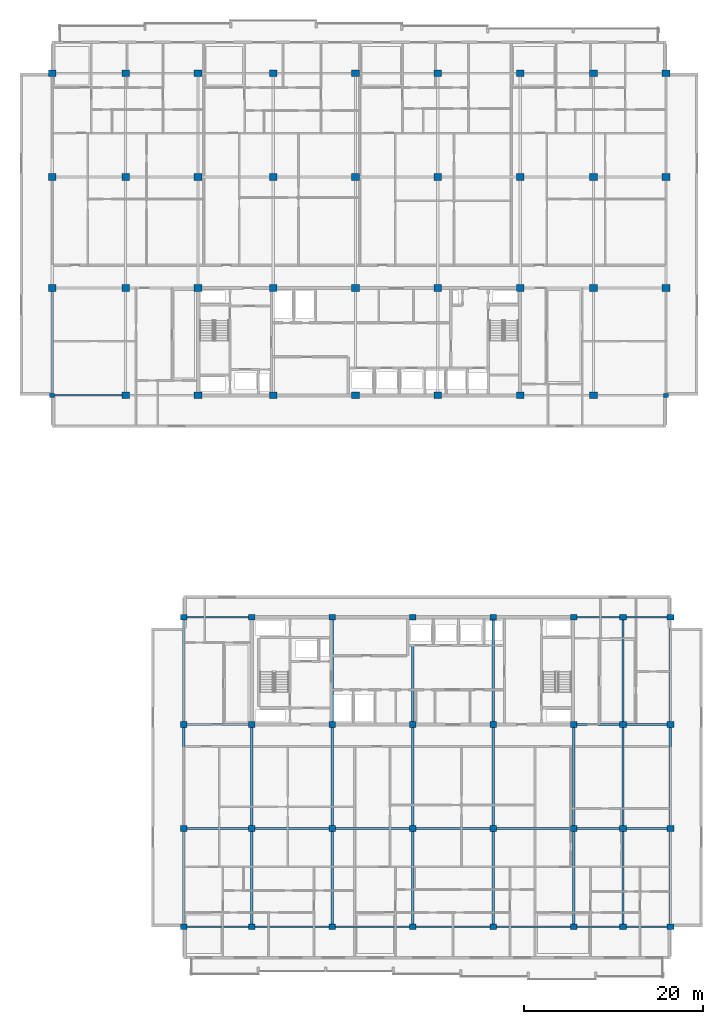
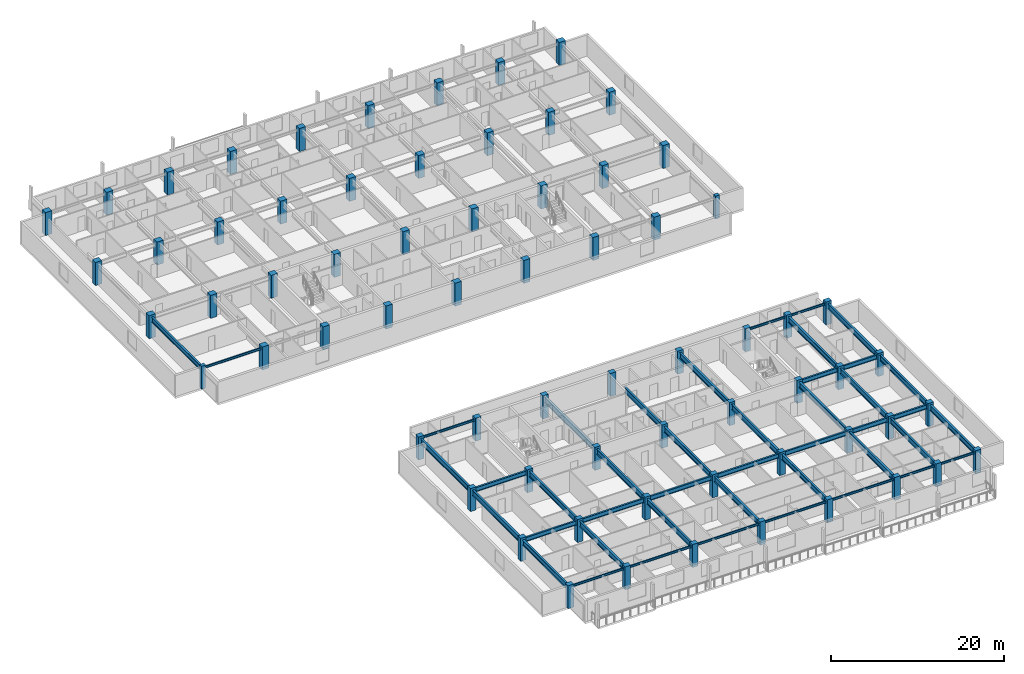
# One storey, part 1 of 24: 68 columns, 44 beams.
"""IFC4 building model written with IfcOpenShell, lengths in metres."""

from ifc_helpers import new_model, si_unit, direction, frame, origin, origin_2d, place, context, subcontext, project, spatial, rectangle, i_section, extrude, material, material_profile, profile_set, type_object, element, save


model = new_model("IFC4")

# Units and contexts
model_context = context("Model", 3, precision=1e-05, world=origin(), true_north=direction((0.0, 1.0)))
body_context = subcontext(model_context, "Body", "Model", "MODEL_VIEW")
ifc_project = project(units=[si_unit("LENGTHUNIT", "METRE"), si_unit("AREAUNIT", "SQUARE_METRE"), si_unit("VOLUMEUNIT", "CUBIC_METRE"), si_unit("PLANEANGLEUNIT", "RADIAN"), si_unit("MASSUNIT", "GRAM", prefix="KILO")], contexts=[model_context])

# Site, building, storey
site_placement = place(None, origin())
site = spatial("IfcSite", under=ifc_project, at=site_placement, CompositionType="ELEMENT")
building_placement = place(site_placement, origin())
building = spatial("IfcBuilding", under=site, at=building_placement, Name="Korimba Cascade Residences", CompositionType="ELEMENT")
storey_placement = place(building_placement, frame((0.0, 0.0, 168.60009765625)))
storey = spatial("IfcBuildingStorey", under=building, at=storey_placement, Name="L48", CompositionType="ELEMENT", Elevation=168.60009765625)

# Columns
ifc_material_1 = material(Name="Concrete C65/80", Category="concrete")
ifc_material_profile_1 = material_profile(ifc_material_1, rectangle(XDim=0.550048828125, YDim=0.449951171875, at=origin_2d()), Name="Concrete C65/80")
ifc_profile_set_1 = profile_set([ifc_material_profile_1], Name="Concrete C65/80")
column_type_1 = type_object("IfcColumnType", Name="COL-PIL-550", PredefinedType="PILASTER", material=ifc_profile_set_1)
for number, where, z_axis, x_axis, name in (
    (1, (59.800048828125, 55.199951171875, 0.0), (0.0, 0.0, 1.0), (1.0, 0.0, 0.0), "L48 Tower 1 Column 1.1"),
    (2, (128.39990234375, 55.199951171875, 0.0), (0.0, 0.0, 1.0), (1.0, 0.0, 0.0), "L48 Tower 1 Column 9.1"),
):
    element("IfcColumn", number, at=place(storey_placement, frame(where, z_axis=z_axis, x_axis=x_axis)), inside=storey, type_object=column_type_1, Name=name, PredefinedType="PILASTER", context=body_context, shape_type="SweptSolid", body=[
        extrude(rectangle(XDim=0.550048828125, YDim=0.449951171875, at=origin_2d()), origin(), (0.0, 0.0, 1.0), 3.25),
    ])
ifc_material_2 = material(Name="Concrete C50/60", Category="concrete")
ifc_material_profile_2 = material_profile(ifc_material_2, rectangle(XDim=0.75, YDim=0.64990234375, at=origin_2d()), Name="Concrete C50/60")
ifc_profile_set_2 = profile_set([ifc_material_profile_2], Name="Concrete C50/60")
column_type_2 = type_object("IfcColumnType", Name="COL-RC-750", PredefinedType="COLUMN", material=ifc_profile_set_2)
for number, where, z_axis, x_axis, name in (
    (3, (74.5, -4.199951171875, 0.0), (0.0, 0.0, 1.0), (1.0, 0.0, 0.0), "L48 Tower 2 Column 1.1"),
    (4, (74.5, 6.800048828125, 0.0), (0.0, 0.0, 1.0), (1.0, 0.0, 0.0), "L48 Tower 2 Column 1.2"),
    (5, (74.5, 18.39990234375, 0.0), (0.0, 0.0, 1.0), (1.0, 0.0, 0.0), "L48 Tower 2 Column 1.3"),
    (6, (74.5, 30.39990234375, 0.0), (0.0, 0.0, 1.0), (1.0, 0.0, 0.0), "L48 Tower 2 Column 1.4"),
    (7, (82.10009765625, -4.199951171875, 0.0), (0.0, 0.0, 1.0), (1.0, 0.0, 0.0), "L48 Tower 2 Column 2.1"),
    (8, (82.10009765625, 6.800048828125, 0.0), (0.0, 0.0, 1.0), (1.0, 0.0, 0.0), "L48 Tower 2 Column 2.2"),
    (9, (82.10009765625, 18.39990234375, 0.0), (0.0, 0.0, 1.0), (1.0, 0.0, 0.0), "L48 Tower 2 Column 2.3"),
    (10, (82.10009765625, 30.39990234375, 0.0), (0.0, 0.0, 1.0), (1.0, 0.0, 0.0), "L48 Tower 2 Column 2.4"),
    (11, (91.10009765625, -4.199951171875, 0.0), (0.0, 0.0, 1.0), (1.0, 0.0, 0.0), "L48 Tower 2 Column 3.1"),
    (12, (91.10009765625, 6.800048828125, 0.0), (0.0, 0.0, 1.0), (1.0, 0.0, 0.0), "L48 Tower 2 Column 3.2"),
    (13, (91.10009765625, 18.39990234375, 0.0), (0.0, 0.0, 1.0), (1.0, 0.0, 0.0), "L48 Tower 2 Column 3.3"),
    (14, (91.10009765625, 30.39990234375, 0.0), (0.0, 0.0, 1.0), (1.0, 0.0, 0.0), "L48 Tower 2 Column 3.4"),
    (15, (100.10009765625, -4.199951171875, 0.0), (0.0, 0.0, 1.0), (1.0, 0.0, 0.0), "L48 Tower 2 Column 4.1"),
    (16, (100.10009765625, 6.800048828125, 0.0), (0.0, 0.0, 1.0), (1.0, 0.0, 0.0), "L48 Tower 2 Column 4.2"),
    (17, (100.10009765625, 18.39990234375, 0.0), (0.0, 0.0, 1.0), (1.0, 0.0, 0.0), "L48 Tower 2 Column 4.3"),
    (18, (100.10009765625, 30.39990234375, 0.0), (0.0, 0.0, 1.0), (1.0, 0.0, 0.0), "L48 Tower 2 Column 4.4"),
    (19, (109.10009765625, -4.199951171875, 0.0), (0.0, 0.0, 1.0), (1.0, 0.0, 0.0), "L48 Tower 2 Column 5.1"),
    (20, (109.10009765625, 6.800048828125, 0.0), (0.0, 0.0, 1.0), (1.0, 0.0, 0.0), "L48 Tower 2 Column 5.2"),
    (21, (109.10009765625, 18.39990234375, 0.0), (0.0, 0.0, 1.0), (1.0, 0.0, 0.0), "L48 Tower 2 Column 5.3"),
    (22, (109.10009765625, 30.39990234375, 0.0), (0.0, 0.0, 1.0), (1.0, 0.0, 0.0), "L48 Tower 2 Column 5.4"),
    (23, (118.10009765625, -4.199951171875, 0.0), (0.0, 0.0, 1.0), (1.0, 0.0, 0.0), "L48 Tower 2 Column 6.1"),
    (24, (118.10009765625, 6.800048828125, 0.0), (0.0, 0.0, 1.0), (1.0, 0.0, 0.0), "L48 Tower 2 Column 6.2"),
    (25, (118.10009765625, 18.39990234375, 0.0), (0.0, 0.0, 1.0), (1.0, 0.0, 0.0), "L48 Tower 2 Column 6.3"),
    (26, (118.10009765625, 30.39990234375, 0.0), (0.0, 0.0, 1.0), (1.0, 0.0, 0.0), "L48 Tower 2 Column 6.4"),
    (27, (123.60009765625, -4.199951171875, 0.0), (0.0, 0.0, 1.0), (1.0, 0.0, 0.0), "L48 Tower 2 Column 7.1"),
    (28, (123.60009765625, 6.800048828125, 0.0), (0.0, 0.0, 1.0), (1.0, 0.0, 0.0), "L48 Tower 2 Column 7.2"),
    (29, (123.60009765625, 18.39990234375, 0.0), (0.0, 0.0, 1.0), (1.0, 0.0, 0.0), "L48 Tower 2 Column 7.3"),
    (30, (123.60009765625, 30.39990234375, 0.0), (0.0, 0.0, 1.0), (1.0, 0.0, 0.0), "L48 Tower 2 Column 7.4"),
    (31, (128.89990234375, -4.199951171875, 0.0), (0.0, 0.0, 1.0), (1.0, 0.0, 0.0), "L48 Tower 2 Column 8.1"),
    (32, (128.89990234375, 6.800048828125, 0.0), (0.0, 0.0, 1.0), (1.0, 0.0, 0.0), "L48 Tower 2 Column 8.2"),
    (33, (128.89990234375, 18.39990234375, 0.0), (0.0, 0.0, 1.0), (1.0, 0.0, 0.0), "L48 Tower 2 Column 8.3"),
    (34, (128.89990234375, 30.39990234375, 0.0), (0.0, 0.0, 1.0), (1.0, 0.0, 0.0), "L48 Tower 2 Column 8.4"),
):
    element("IfcColumn", number, at=place(storey_placement, frame(where, z_axis=z_axis, x_axis=x_axis)), inside=storey, type_object=column_type_2, Name=name, PredefinedType="COLUMN", context=body_context, shape_type="SweptSolid", body=[
        extrude(rectangle(XDim=0.75, YDim=0.64990234375, at=origin_2d()), origin(), (0.0, 0.0, 1.0), 3.25),
    ])
ifc_material_profile_3 = material_profile(ifc_material_1, rectangle(XDim=0.85009765625, YDim=0.75, at=origin_2d()), Name="Concrete C65/80")
ifc_profile_set_3 = profile_set([ifc_material_profile_3], Name="Concrete C65/80")
column_type_3 = type_object("IfcColumnType", Name="COL-RC-850", PredefinedType="COLUMN", material=ifc_profile_set_3)
for number, where, z_axis, x_axis, name in (
    (35, (59.800048828125, 67.199951171875, 0.0), (0.0, 0.0, 1.0), (1.0, 0.0, 0.0), "L48 Tower 1 Column 1.2"),
    (36, (59.800048828125, 79.60009765625, 0.0), (0.0, 0.0, 1.0), (1.0, 0.0, 0.0), "L48 Tower 1 Column 1.3"),
    (37, (59.800048828125, 91.199951171875, 0.0), (0.0, 0.0, 1.0), (1.0, 0.0, 0.0), "L48 Tower 1 Column 1.4"),
    (38, (68.0, 55.199951171875, 0.0), (0.0, 0.0, 1.0), (1.0, 0.0, 0.0), "L48 Tower 1 Column 2.1"),
    (39, (68.0, 67.199951171875, 0.0), (0.0, 0.0, 1.0), (1.0, 0.0, 0.0), "L48 Tower 1 Column 2.2"),
    (40, (68.0, 79.60009765625, 0.0), (0.0, 0.0, 1.0), (1.0, 0.0, 0.0), "L48 Tower 1 Column 2.3"),
    (41, (68.0, 91.199951171875, 0.0), (0.0, 0.0, 1.0), (1.0, 0.0, 0.0), "L48 Tower 1 Column 2.4"),
    (42, (76.10009765625, 55.199951171875, 0.0), (0.0, 0.0, 1.0), (1.0, 0.0, 0.0), "L48 Tower 1 Column 3.1"),
    (43, (76.10009765625, 67.199951171875, 0.0), (0.0, 0.0, 1.0), (1.0, 0.0, 0.0), "L48 Tower 1 Column 3.2"),
    (44, (76.10009765625, 79.60009765625, 0.0), (0.0, 0.0, 1.0), (1.0, 0.0, 0.0), "L48 Tower 1 Column 3.3"),
    (45, (76.10009765625, 91.199951171875, 0.0), (0.0, 0.0, 1.0), (1.0, 0.0, 0.0), "L48 Tower 1 Column 3.4"),
    (46, (84.5, 55.199951171875, 0.0), (0.0, 0.0, 1.0), (1.0, 0.0, 0.0), "L48 Tower 1 Column 4.1"),
    (47, (84.5, 67.199951171875, 0.0), (0.0, 0.0, 1.0), (1.0, 0.0, 0.0), "L48 Tower 1 Column 4.2"),
    (48, (84.5, 79.60009765625, 0.0), (0.0, 0.0, 1.0), (1.0, 0.0, 0.0), "L48 Tower 1 Column 4.3"),
    (49, (84.5, 91.199951171875, 0.0), (0.0, 0.0, 1.0), (1.0, 0.0, 0.0), "L48 Tower 1 Column 4.4"),
    (50, (93.699951171875, 55.199951171875, 0.0), (0.0, 0.0, 1.0), (1.0, 0.0, 0.0), "L48 Tower 1 Column 5.1"),
    (51, (93.699951171875, 67.199951171875, 0.0), (0.0, 0.0, 1.0), (1.0, 0.0, 0.0), "L48 Tower 1 Column 5.2"),
    (52, (93.699951171875, 79.60009765625, 0.0), (0.0, 0.0, 1.0), (1.0, 0.0, 0.0), "L48 Tower 1 Column 5.3"),
    (53, (93.699951171875, 91.199951171875, 0.0), (0.0, 0.0, 1.0), (1.0, 0.0, 0.0), "L48 Tower 1 Column 5.4"),
    (54, (102.89990234375, 55.199951171875, 0.0), (0.0, 0.0, 1.0), (1.0, 0.0, 0.0), "L48 Tower 1 Column 6.1"),
    (55, (102.89990234375, 67.199951171875, 0.0), (0.0, 0.0, 1.0), (1.0, 0.0, 0.0), "L48 Tower 1 Column 6.2"),
    (56, (102.89990234375, 79.60009765625, 0.0), (0.0, 0.0, 1.0), (1.0, 0.0, 0.0), "L48 Tower 1 Column 6.3"),
    (57, (102.89990234375, 91.199951171875, 0.0), (0.0, 0.0, 1.0), (1.0, 0.0, 0.0), "L48 Tower 1 Column 6.4"),
    (58, (112.10009765625, 55.199951171875, 0.0), (0.0, 0.0, 1.0), (1.0, 0.0, 0.0), "L48 Tower 1 Column 7.1"),
    (59, (112.10009765625, 67.199951171875, 0.0), (0.0, 0.0, 1.0), (1.0, 0.0, 0.0), "L48 Tower 1 Column 7.2"),
    (60, (112.10009765625, 79.60009765625, 0.0), (0.0, 0.0, 1.0), (1.0, 0.0, 0.0), "L48 Tower 1 Column 7.3"),
    (61, (112.10009765625, 91.199951171875, 0.0), (0.0, 0.0, 1.0), (1.0, 0.0, 0.0), "L48 Tower 1 Column 7.4"),
    (62, (120.300048828125, 55.199951171875, 0.0), (0.0, 0.0, 1.0), (1.0, 0.0, 0.0), "L48 Tower 1 Column 8.1"),
    (63, (120.300048828125, 67.199951171875, 0.0), (0.0, 0.0, 1.0), (1.0, 0.0, 0.0), "L48 Tower 1 Column 8.2"),
    (64, (120.300048828125, 79.60009765625, 0.0), (0.0, 0.0, 1.0), (1.0, 0.0, 0.0), "L48 Tower 1 Column 8.3"),
    (65, (120.300048828125, 91.199951171875, 0.0), (0.0, 0.0, 1.0), (1.0, 0.0, 0.0), "L48 Tower 1 Column 8.4"),
    (66, (128.39990234375, 67.199951171875, 0.0), (0.0, 0.0, 1.0), (1.0, 0.0, 0.0), "L48 Tower 1 Column 9.2"),
    (67, (128.39990234375, 79.60009765625, 0.0), (0.0, 0.0, 1.0), (1.0, 0.0, 0.0), "L48 Tower 1 Column 9.3"),
    (68, (128.39990234375, 91.199951171875, 0.0), (0.0, 0.0, 1.0), (1.0, 0.0, 0.0), "L48 Tower 1 Column 9.4"),
):
    element("IfcColumn", number, at=place(storey_placement, frame(where, z_axis=z_axis, x_axis=x_axis)), inside=storey, type_object=column_type_3, Name=name, PredefinedType="COLUMN", context=body_context, shape_type="SweptSolid", body=[
        extrude(rectangle(XDim=0.85009765625, YDim=0.75, at=origin_2d()), origin(), (0.0, 0.0, 1.0), 3.25),
    ])

# Beams
ifc_material_3 = material(Name="Steel S355", Category="steel")
ifc_material_profile_4 = material_profile(ifc_material_3, i_section(OverallWidth=0.165771484375, OverallDepth=0.306640625, WebThickness=0.006591796875, FlangeThickness=0.01171875, FilletRadius=0.0087890625, at=origin_2d()), Name="Steel S355")
ifc_profile_set_4 = profile_set([ifc_material_profile_4], Name="Steel S355")
beam_type_1 = type_object("IfcBeamType", Name="BM-STL-UB305", PredefinedType="SPANDREL", material=ifc_profile_set_4)
beam_1_placement = place(storey_placement, frame((60.074951171875, 55.199951171875, 2.816650390625), z_axis=(1.0, 0.0, 0.0), x_axis=(0.0, 1.0, 0.0)))
element("IfcBeam", 69, at=beam_1_placement, inside=storey, type_object=beam_type_1, Name="L48 T1 E-W Girder Y1 Bay 1", PredefinedType="SPANDREL", context=body_context, shape_type="SweptSolid", body=[
    extrude(i_section(OverallWidth=0.165771484375, OverallDepth=0.306640625, WebThickness=0.006591796875, FlangeThickness=0.01171875, FilletRadius=0.0087890625, at=origin_2d()), origin(), (0.0, 0.0, 1.0), 7.5),
])
beam_2_placement = place(storey_placement, frame((74.875, -4.199951171875, 2.816650390625), z_axis=(1.0, 0.0, 0.0), x_axis=(0.0, 1.0, 0.0)))
element("IfcBeam", 70, at=beam_2_placement, inside=storey, type_object=beam_type_1, Name="L48 T2 E-W Girder Y1 Bay 1", PredefinedType="SPANDREL", context=body_context, shape_type="SweptSolid", body=[
    extrude(i_section(OverallWidth=0.165771484375, OverallDepth=0.306640625, WebThickness=0.006591796875, FlangeThickness=0.01171875, FilletRadius=0.0087890625, at=origin_2d()), origin(), (0.0, 0.0, 1.0), 6.85009765625),
])
for number, where, z_axis, x_axis, name in (
    (71, (82.47509765625, -4.199951171875, 2.816650390625), (1.0, 0.0, 0.0), (0.0, 1.0, 0.0), "L48 T2 E-W Girder Y1 Bay 2"),
    (72, (91.47509765625, -4.199951171875, 2.816650390625), (1.0, 0.0, 0.0), (0.0, 1.0, 0.0), "L48 T2 E-W Girder Y1 Bay 3"),
    (73, (100.47509765625, -4.199951171875, 2.816650390625), (1.0, 0.0, 0.0), (0.0, 1.0, 0.0), "L48 T2 E-W Girder Y1 Bay 4"),
    (74, (109.47509765625, -4.199951171875, 2.816650390625), (1.0, 0.0, 0.0), (0.0, 1.0, 0.0), "L48 T2 E-W Girder Y1 Bay 5"),
):
    element("IfcBeam", number, at=place(storey_placement, frame(where, z_axis=z_axis, x_axis=x_axis)), inside=storey, type_object=beam_type_1, Name=name, PredefinedType="SPANDREL", context=body_context, shape_type="SweptSolid", body=[
        extrude(i_section(OverallWidth=0.165771484375, OverallDepth=0.306640625, WebThickness=0.006591796875, FlangeThickness=0.01171875, FilletRadius=0.0087890625, at=origin_2d()), origin(), (0.0, 0.0, 1.0), 8.25),
    ])
beam_3_placement = place(storey_placement, frame((118.47509765625, -4.199951171875, 2.816650390625), z_axis=(1.0, 0.0, 0.0), x_axis=(0.0, 1.0, 0.0)))
element("IfcBeam", 75, at=beam_3_placement, inside=storey, type_object=beam_type_1, Name="L48 T2 E-W Girder Y1 Bay 6", PredefinedType="SPANDREL", context=body_context, shape_type="SweptSolid", body=[
    extrude(i_section(OverallWidth=0.165771484375, OverallDepth=0.306640625, WebThickness=0.006591796875, FlangeThickness=0.01171875, FilletRadius=0.0087890625, at=origin_2d()), origin(), (0.0, 0.0, 1.0), 4.75),
])
beam_4_placement = place(storey_placement, frame((123.97509765625, -4.199951171875, 2.816650390625), z_axis=(1.0, 0.0, 0.0), x_axis=(0.0, 1.0, 0.0)))
element("IfcBeam", 76, at=beam_4_placement, inside=storey, type_object=beam_type_1, Name="L48 T2 E-W Girder Y1 Bay 7", PredefinedType="SPANDREL", context=body_context, shape_type="SweptSolid", body=[
    extrude(i_section(OverallWidth=0.165771484375, OverallDepth=0.306640625, WebThickness=0.006591796875, FlangeThickness=0.01171875, FilletRadius=0.0087890625, at=origin_2d()), origin(), (0.0, 0.0, 1.0), 4.5498046875),
])
beam_5_placement = place(storey_placement, frame((74.875, 30.39990234375, 2.816650390625), z_axis=(1.0, 0.0, 0.0), x_axis=(0.0, 1.0, 0.0)))
element("IfcBeam", 77, at=beam_5_placement, inside=storey, type_object=beam_type_1, Name="L48 T2 E-W Girder Y4 Bay 1", PredefinedType="SPANDREL", context=body_context, shape_type="SweptSolid", body=[
    extrude(i_section(OverallWidth=0.165771484375, OverallDepth=0.306640625, WebThickness=0.006591796875, FlangeThickness=0.01171875, FilletRadius=0.0087890625, at=origin_2d()), origin(), (0.0, 0.0, 1.0), 6.85009765625),
])
beam_6_placement = place(storey_placement, frame((118.47509765625, 30.39990234375, 2.816650390625), z_axis=(1.0, 0.0, 0.0), x_axis=(0.0, 1.0, 0.0)))
element("IfcBeam", 78, at=beam_6_placement, inside=storey, type_object=beam_type_1, Name="L48 T2 E-W Girder Y4 Bay 6", PredefinedType="SPANDREL", context=body_context, shape_type="SweptSolid", body=[
    extrude(i_section(OverallWidth=0.165771484375, OverallDepth=0.306640625, WebThickness=0.006591796875, FlangeThickness=0.01171875, FilletRadius=0.0087890625, at=origin_2d()), origin(), (0.0, 0.0, 1.0), 4.75),
])
beam_7_placement = place(storey_placement, frame((123.97509765625, 30.39990234375, 2.816650390625), z_axis=(1.0, 0.0, 0.0), x_axis=(0.0, 1.0, 0.0)))
element("IfcBeam", 79, at=beam_7_placement, inside=storey, type_object=beam_type_1, Name="L48 T2 E-W Girder Y4 Bay 7", PredefinedType="SPANDREL", context=body_context, shape_type="SweptSolid", body=[
    extrude(i_section(OverallWidth=0.165771484375, OverallDepth=0.306640625, WebThickness=0.006591796875, FlangeThickness=0.01171875, FilletRadius=0.0087890625, at=origin_2d()), origin(), (0.0, 0.0, 1.0), 4.5498046875),
])
ifc_material_profile_5 = material_profile(ifc_material_3, i_section(OverallWidth=0.22900390625, OverallDepth=0.6123046875, WebThickness=0.011962890625, FlangeThickness=0.01953125, FilletRadius=0.0126953125, at=origin_2d()), Name="Steel S355")
ifc_profile_set_5 = profile_set([ifc_material_profile_5], Name="Steel S355")
beam_type_2 = type_object("IfcBeamType", Name="BM-STL-UB610B", PredefinedType="BEAM", material=ifc_profile_set_5)
beam_8_placement = place(storey_placement, frame((74.875, 6.800048828125, 2.663818359375), z_axis=(1.0, 0.0, 0.0), x_axis=(0.0, 1.0, 0.0)))
element("IfcBeam", 80, at=beam_8_placement, inside=storey, type_object=beam_type_2, Name="L48 T2 E-W Girder Y2 Bay 1", PredefinedType="BEAM", context=body_context, shape_type="SweptSolid", body=[
    extrude(i_section(OverallWidth=0.22900390625, OverallDepth=0.6123046875, WebThickness=0.011962890625, FlangeThickness=0.01953125, FilletRadius=0.0126953125, at=origin_2d()), origin(), (0.0, 0.0, 1.0), 6.85009765625),
])
for number, where, z_axis, x_axis, name in (
    (81, (82.47509765625, 6.800048828125, 2.663818359375), (1.0, 0.0, 0.0), (0.0, 1.0, 0.0), "L48 T2 E-W Girder Y2 Bay 2"),
    (82, (91.47509765625, 6.800048828125, 2.663818359375), (1.0, 0.0, 0.0), (0.0, 1.0, 0.0), "L48 T2 E-W Girder Y2 Bay 3"),
    (83, (100.47509765625, 6.800048828125, 2.663818359375), (1.0, 0.0, 0.0), (0.0, 1.0, 0.0), "L48 T2 E-W Girder Y2 Bay 4"),
    (84, (109.47509765625, 6.800048828125, 2.663818359375), (1.0, 0.0, 0.0), (0.0, 1.0, 0.0), "L48 T2 E-W Girder Y2 Bay 5"),
):
    element("IfcBeam", number, at=place(storey_placement, frame(where, z_axis=z_axis, x_axis=x_axis)), inside=storey, type_object=beam_type_2, Name=name, PredefinedType="BEAM", context=body_context, shape_type="SweptSolid", body=[
        extrude(i_section(OverallWidth=0.22900390625, OverallDepth=0.6123046875, WebThickness=0.011962890625, FlangeThickness=0.01953125, FilletRadius=0.0126953125, at=origin_2d()), origin(), (0.0, 0.0, 1.0), 8.25),
    ])
beam_9_placement = place(storey_placement, frame((118.47509765625, 6.800048828125, 2.663818359375), z_axis=(1.0, 0.0, 0.0), x_axis=(0.0, 1.0, 0.0)))
element("IfcBeam", 85, at=beam_9_placement, inside=storey, type_object=beam_type_2, Name="L48 T2 E-W Girder Y2 Bay 6", PredefinedType="BEAM", context=body_context, shape_type="SweptSolid", body=[
    extrude(i_section(OverallWidth=0.22900390625, OverallDepth=0.6123046875, WebThickness=0.011962890625, FlangeThickness=0.01953125, FilletRadius=0.0126953125, at=origin_2d()), origin(), (0.0, 0.0, 1.0), 4.75),
])
beam_10_placement = place(storey_placement, frame((123.97509765625, 6.800048828125, 2.663818359375), z_axis=(1.0, 0.0, 0.0), x_axis=(0.0, 1.0, 0.0)))
element("IfcBeam", 86, at=beam_10_placement, inside=storey, type_object=beam_type_2, Name="L48 T2 E-W Girder Y2 Bay 7", PredefinedType="BEAM", context=body_context, shape_type="SweptSolid", body=[
    extrude(i_section(OverallWidth=0.22900390625, OverallDepth=0.6123046875, WebThickness=0.011962890625, FlangeThickness=0.01953125, FilletRadius=0.0126953125, at=origin_2d()), origin(), (0.0, 0.0, 1.0), 4.5498046875),
])
beam_11_placement = place(storey_placement, frame((74.875, 18.39990234375, 2.663818359375), z_axis=(1.0, 0.0, 0.0), x_axis=(0.0, 1.0, 0.0)))
element("IfcBeam", 87, at=beam_11_placement, inside=storey, type_object=beam_type_2, Name="L48 T2 E-W Girder Y3 Bay 1", PredefinedType="BEAM", context=body_context, shape_type="SweptSolid", body=[
    extrude(i_section(OverallWidth=0.22900390625, OverallDepth=0.6123046875, WebThickness=0.011962890625, FlangeThickness=0.01953125, FilletRadius=0.0126953125, at=origin_2d()), origin(), (0.0, 0.0, 1.0), 6.85009765625),
])
beam_12_placement = place(storey_placement, frame((118.47509765625, 18.39990234375, 2.663818359375), z_axis=(1.0, 0.0, 0.0), x_axis=(0.0, 1.0, 0.0)))
element("IfcBeam", 88, at=beam_12_placement, inside=storey, type_object=beam_type_2, Name="L48 T2 E-W Girder Y3 Bay 6", PredefinedType="BEAM", context=body_context, shape_type="SweptSolid", body=[
    extrude(i_section(OverallWidth=0.22900390625, OverallDepth=0.6123046875, WebThickness=0.011962890625, FlangeThickness=0.01953125, FilletRadius=0.0126953125, at=origin_2d()), origin(), (0.0, 0.0, 1.0), 4.75),
])
beam_13_placement = place(storey_placement, frame((123.97509765625, 18.39990234375, 2.663818359375), z_axis=(1.0, 0.0, 0.0), x_axis=(0.0, 1.0, 0.0)))
element("IfcBeam", 89, at=beam_13_placement, inside=storey, type_object=beam_type_2, Name="L48 T2 E-W Girder Y3 Bay 7", PredefinedType="BEAM", context=body_context, shape_type="SweptSolid", body=[
    extrude(i_section(OverallWidth=0.22900390625, OverallDepth=0.6123046875, WebThickness=0.011962890625, FlangeThickness=0.01953125, FilletRadius=0.0126953125, at=origin_2d()), origin(), (0.0, 0.0, 1.0), 4.5498046875),
])
ifc_material_profile_6 = material_profile(ifc_material_3, i_section(OverallWidth=0.255859375, OverallDepth=0.69287109375, WebThickness=0.014404296875, FlangeThickness=0.023681640625, FilletRadius=0.01513671875, at=origin_2d()), Name="Steel S355")
ifc_profile_set_6 = profile_set([ifc_material_profile_6], Name="Steel S355")
beam_type_3 = type_object("IfcBeamType", Name="BM-STL-UB686", PredefinedType="BEAM", material=ifc_profile_set_6)
beam_14_placement = place(storey_placement, frame((59.800048828125, 55.425048828125, 2.623291015625), z_axis=(0.0, 1.0, 0.0), x_axis=(-1.0, 0.0, 0.0)))
element("IfcBeam", 90, at=beam_14_placement, inside=storey, type_object=beam_type_3, Name="L48 T1 N-S Girder X1 Seg 1", PredefinedType="BEAM", context=body_context, shape_type="SweptSolid", body=[
    extrude(i_section(OverallWidth=0.255859375, OverallDepth=0.69287109375, WebThickness=0.014404296875, FlangeThickness=0.023681640625, FilletRadius=0.01513671875, at=origin_2d()), origin(), (0.0, 0.0, 1.0), 11.39990234375),
])
ifc_material_profile_7 = material_profile(ifc_material_3, i_section(OverallWidth=0.26806640625, OverallDepth=0.769775390625, WebThickness=0.015625, FlangeThickness=0.025390625, FilletRadius=0.0166015625, at=origin_2d()), Name="Steel S355")
ifc_profile_set_7 = profile_set([ifc_material_profile_7], Name="Steel S355")
beam_type_4 = type_object("IfcBeamType", Name="BM-STL-UB762", PredefinedType="BEAM", material=ifc_profile_set_7)
beam_15_placement = place(storey_placement, frame((74.5, -3.875, 2.5849609375), z_axis=(0.0, 1.0, 0.0), x_axis=(-1.0, 0.0, 0.0)))
element("IfcBeam", 91, at=beam_15_placement, inside=storey, type_object=beam_type_4, Name="L48 T2 N-S Girder X1 Seg 1", PredefinedType="BEAM", context=body_context, shape_type="SweptSolid", body=[
    extrude(i_section(OverallWidth=0.26806640625, OverallDepth=0.769775390625, WebThickness=0.015625, FlangeThickness=0.025390625, FilletRadius=0.0166015625, at=origin_2d()), origin(), (0.0, 0.0, 1.0), 10.35009765625),
])
beam_16_placement = place(storey_placement, frame((74.5, 7.125, 2.5849609375), z_axis=(0.0, 1.0, 0.0), x_axis=(-1.0, 0.0, 0.0)))
element("IfcBeam", 92, at=beam_16_placement, inside=storey, type_object=beam_type_4, Name="L48 T2 N-S Girder X1 Seg 2", PredefinedType="BEAM", context=body_context, shape_type="SweptSolid", body=[
    extrude(i_section(OverallWidth=0.26806640625, OverallDepth=0.769775390625, WebThickness=0.015625, FlangeThickness=0.025390625, FilletRadius=0.0166015625, at=origin_2d()), origin(), (0.0, 0.0, 1.0), 10.949951171875),
])
beam_17_placement = place(storey_placement, frame((74.5, 18.72509765625, 2.5849609375), z_axis=(0.0, 1.0, 0.0), x_axis=(-1.0, 0.0, 0.0)))
element("IfcBeam", 93, at=beam_17_placement, inside=storey, type_object=beam_type_4, Name="L48 T2 N-S Girder X1 Seg 3", PredefinedType="BEAM", context=body_context, shape_type="SweptSolid", body=[
    extrude(i_section(OverallWidth=0.26806640625, OverallDepth=0.769775390625, WebThickness=0.015625, FlangeThickness=0.025390625, FilletRadius=0.0166015625, at=origin_2d()), origin(), (0.0, 0.0, 1.0), 11.349853515625),
])
beam_18_placement = place(storey_placement, frame((82.10009765625, -3.875, 2.5849609375), z_axis=(0.0, 1.0, 0.0), x_axis=(-1.0, 0.0, 0.0)))
element("IfcBeam", 94, at=beam_18_placement, inside=storey, type_object=beam_type_4, Name="L48 T2 N-S Girder X2 Seg 1", PredefinedType="BEAM", context=body_context, shape_type="SweptSolid", body=[
    extrude(i_section(OverallWidth=0.26806640625, OverallDepth=0.769775390625, WebThickness=0.015625, FlangeThickness=0.025390625, FilletRadius=0.0166015625, at=origin_2d()), origin(), (0.0, 0.0, 1.0), 10.35009765625),
])
beam_19_placement = place(storey_placement, frame((82.10009765625, 7.125, 2.5849609375), z_axis=(0.0, 1.0, 0.0), x_axis=(-1.0, 0.0, 0.0)))
element("IfcBeam", 95, at=beam_19_placement, inside=storey, type_object=beam_type_4, Name="L48 T2 N-S Girder X2 Seg 2", PredefinedType="BEAM", context=body_context, shape_type="SweptSolid", body=[
    extrude(i_section(OverallWidth=0.26806640625, OverallDepth=0.769775390625, WebThickness=0.015625, FlangeThickness=0.025390625, FilletRadius=0.0166015625, at=origin_2d()), origin(), (0.0, 0.0, 1.0), 10.949951171875),
])
beam_20_placement = place(storey_placement, frame((91.10009765625, -3.875, 2.5849609375), z_axis=(0.0, 1.0, 0.0), x_axis=(-1.0, 0.0, 0.0)))
element("IfcBeam", 96, at=beam_20_placement, inside=storey, type_object=beam_type_4, Name="L48 T2 N-S Girder X3 Seg 1", PredefinedType="BEAM", context=body_context, shape_type="SweptSolid", body=[
    extrude(i_section(OverallWidth=0.26806640625, OverallDepth=0.769775390625, WebThickness=0.015625, FlangeThickness=0.025390625, FilletRadius=0.0166015625, at=origin_2d()), origin(), (0.0, 0.0, 1.0), 10.35009765625),
])
beam_21_placement = place(storey_placement, frame((91.10009765625, 7.125, 2.5849609375), z_axis=(0.0, 1.0, 0.0), x_axis=(-1.0, 0.0, 0.0)))
element("IfcBeam", 97, at=beam_21_placement, inside=storey, type_object=beam_type_4, Name="L48 T2 N-S Girder X3 Seg 2", PredefinedType="BEAM", context=body_context, shape_type="SweptSolid", body=[
    extrude(i_section(OverallWidth=0.26806640625, OverallDepth=0.769775390625, WebThickness=0.015625, FlangeThickness=0.025390625, FilletRadius=0.0166015625, at=origin_2d()), origin(), (0.0, 0.0, 1.0), 10.949951171875),
])
beam_22_placement = place(storey_placement, frame((91.10009765625, 18.72509765625, 2.5849609375), z_axis=(0.0, 1.0, 0.0), x_axis=(-1.0, 0.0, 0.0)))
element("IfcBeam", 98, at=beam_22_placement, inside=storey, type_object=beam_type_4, Name="L48 T2 N-S Girder X3 Seg 3", PredefinedType="BEAM", context=body_context, shape_type="SweptSolid", body=[
    extrude(i_section(OverallWidth=0.26806640625, OverallDepth=0.769775390625, WebThickness=0.015625, FlangeThickness=0.025390625, FilletRadius=0.0166015625, at=origin_2d()), origin(), (0.0, 0.0, 1.0), 11.349853515625),
])
beam_23_placement = place(storey_placement, frame((100.10009765625, -3.875, 2.5849609375), z_axis=(0.0, 1.0, 0.0), x_axis=(-1.0, 0.0, 0.0)))
element("IfcBeam", 99, at=beam_23_placement, inside=storey, type_object=beam_type_4, Name="L48 T2 N-S Girder X4 Seg 1", PredefinedType="BEAM", context=body_context, shape_type="SweptSolid", body=[
    extrude(i_section(OverallWidth=0.26806640625, OverallDepth=0.769775390625, WebThickness=0.015625, FlangeThickness=0.025390625, FilletRadius=0.0166015625, at=origin_2d()), origin(), (0.0, 0.0, 1.0), 10.35009765625),
])
beam_24_placement = place(storey_placement, frame((100.10009765625, 7.125, 2.5849609375), z_axis=(0.0, 1.0, 0.0), x_axis=(-1.0, 0.0, 0.0)))
element("IfcBeam", 100, at=beam_24_placement, inside=storey, type_object=beam_type_4, Name="L48 T2 N-S Girder X4 Seg 2", PredefinedType="BEAM", context=body_context, shape_type="SweptSolid", body=[
    extrude(i_section(OverallWidth=0.26806640625, OverallDepth=0.769775390625, WebThickness=0.015625, FlangeThickness=0.025390625, FilletRadius=0.0166015625, at=origin_2d()), origin(), (0.0, 0.0, 1.0), 10.949951171875),
])
beam_25_placement = place(storey_placement, frame((100.10009765625, 18.72509765625, 2.5849609375), z_axis=(0.0, 1.0, 0.0), x_axis=(-1.0, 0.0, 0.0)))
element("IfcBeam", 101, at=beam_25_placement, inside=storey, type_object=beam_type_4, Name="L48 T2 N-S Girder X4 Seg 3", PredefinedType="BEAM", context=body_context, shape_type="SweptSolid", body=[
    extrude(i_section(OverallWidth=0.26806640625, OverallDepth=0.769775390625, WebThickness=0.015625, FlangeThickness=0.025390625, FilletRadius=0.0166015625, at=origin_2d()), origin(), (0.0, 0.0, 1.0), 8.614990234375),
])
beam_26_placement = place(storey_placement, frame((109.10009765625, -3.875, 2.5849609375), z_axis=(0.0, 1.0, 0.0), x_axis=(-1.0, 0.0, 0.0)))
element("IfcBeam", 102, at=beam_26_placement, inside=storey, type_object=beam_type_4, Name="L48 T2 N-S Girder X5 Seg 1", PredefinedType="BEAM", context=body_context, shape_type="SweptSolid", body=[
    extrude(i_section(OverallWidth=0.26806640625, OverallDepth=0.769775390625, WebThickness=0.015625, FlangeThickness=0.025390625, FilletRadius=0.0166015625, at=origin_2d()), origin(), (0.0, 0.0, 1.0), 10.35009765625),
])
beam_27_placement = place(storey_placement, frame((109.10009765625, 7.125, 2.5849609375), z_axis=(0.0, 1.0, 0.0), x_axis=(-1.0, 0.0, 0.0)))
element("IfcBeam", 103, at=beam_27_placement, inside=storey, type_object=beam_type_4, Name="L48 T2 N-S Girder X5 Seg 2", PredefinedType="BEAM", context=body_context, shape_type="SweptSolid", body=[
    extrude(i_section(OverallWidth=0.26806640625, OverallDepth=0.769775390625, WebThickness=0.015625, FlangeThickness=0.025390625, FilletRadius=0.0166015625, at=origin_2d()), origin(), (0.0, 0.0, 1.0), 10.949951171875),
])
beam_28_placement = place(storey_placement, frame((109.10009765625, 18.72509765625, 2.5849609375), z_axis=(0.0, 1.0, 0.0), x_axis=(-1.0, 0.0, 0.0)))
element("IfcBeam", 104, at=beam_28_placement, inside=storey, type_object=beam_type_4, Name="L48 T2 N-S Girder X5 Seg 3", PredefinedType="BEAM", context=body_context, shape_type="SweptSolid", body=[
    extrude(i_section(OverallWidth=0.26806640625, OverallDepth=0.769775390625, WebThickness=0.015625, FlangeThickness=0.025390625, FilletRadius=0.0166015625, at=origin_2d()), origin(), (0.0, 0.0, 1.0), 11.349853515625),
])
beam_29_placement = place(storey_placement, frame((118.10009765625, -3.875, 2.5849609375), z_axis=(0.0, 1.0, 0.0), x_axis=(-1.0, 0.0, 0.0)))
element("IfcBeam", 105, at=beam_29_placement, inside=storey, type_object=beam_type_4, Name="L48 T2 N-S Girder X6 Seg 1", PredefinedType="BEAM", context=body_context, shape_type="SweptSolid", body=[
    extrude(i_section(OverallWidth=0.26806640625, OverallDepth=0.769775390625, WebThickness=0.015625, FlangeThickness=0.025390625, FilletRadius=0.0166015625, at=origin_2d()), origin(), (0.0, 0.0, 1.0), 10.35009765625),
])
beam_30_placement = place(storey_placement, frame((118.10009765625, 7.125, 2.5849609375), z_axis=(0.0, 1.0, 0.0), x_axis=(-1.0, 0.0, 0.0)))
element("IfcBeam", 106, at=beam_30_placement, inside=storey, type_object=beam_type_4, Name="L48 T2 N-S Girder X6 Seg 2", PredefinedType="BEAM", context=body_context, shape_type="SweptSolid", body=[
    extrude(i_section(OverallWidth=0.26806640625, OverallDepth=0.769775390625, WebThickness=0.015625, FlangeThickness=0.025390625, FilletRadius=0.0166015625, at=origin_2d()), origin(), (0.0, 0.0, 1.0), 10.949951171875),
])
beam_31_placement = place(storey_placement, frame((123.60009765625, -3.875, 2.5849609375), z_axis=(0.0, 1.0, 0.0), x_axis=(-1.0, 0.0, 0.0)))
element("IfcBeam", 107, at=beam_31_placement, inside=storey, type_object=beam_type_4, Name="L48 T2 N-S Girder X7 Seg 1", PredefinedType="BEAM", context=body_context, shape_type="SweptSolid", body=[
    extrude(i_section(OverallWidth=0.26806640625, OverallDepth=0.769775390625, WebThickness=0.015625, FlangeThickness=0.025390625, FilletRadius=0.0166015625, at=origin_2d()), origin(), (0.0, 0.0, 1.0), 10.35009765625),
])
beam_32_placement = place(storey_placement, frame((123.60009765625, 7.125, 2.5849609375), z_axis=(0.0, 1.0, 0.0), x_axis=(-1.0, 0.0, 0.0)))
element("IfcBeam", 108, at=beam_32_placement, inside=storey, type_object=beam_type_4, Name="L48 T2 N-S Girder X7 Seg 2", PredefinedType="BEAM", context=body_context, shape_type="SweptSolid", body=[
    extrude(i_section(OverallWidth=0.26806640625, OverallDepth=0.769775390625, WebThickness=0.015625, FlangeThickness=0.025390625, FilletRadius=0.0166015625, at=origin_2d()), origin(), (0.0, 0.0, 1.0), 10.949951171875),
])
beam_33_placement = place(storey_placement, frame((123.60009765625, 18.72509765625, 2.5849609375), z_axis=(0.0, 1.0, 0.0), x_axis=(-1.0, 0.0, 0.0)))
element("IfcBeam", 109, at=beam_33_placement, inside=storey, type_object=beam_type_4, Name="L48 T2 N-S Girder X7 Seg 3", PredefinedType="BEAM", context=body_context, shape_type="SweptSolid", body=[
    extrude(i_section(OverallWidth=0.26806640625, OverallDepth=0.769775390625, WebThickness=0.015625, FlangeThickness=0.025390625, FilletRadius=0.0166015625, at=origin_2d()), origin(), (0.0, 0.0, 1.0), 11.349853515625),
])
beam_34_placement = place(storey_placement, frame((128.89990234375, -3.875, 2.5849609375), z_axis=(0.0, 1.0, 0.0), x_axis=(-1.0, 0.0, 0.0)))
element("IfcBeam", 110, at=beam_34_placement, inside=storey, type_object=beam_type_4, Name="L48 T2 N-S Girder X8 Seg 1", PredefinedType="BEAM", context=body_context, shape_type="SweptSolid", body=[
    extrude(i_section(OverallWidth=0.26806640625, OverallDepth=0.769775390625, WebThickness=0.015625, FlangeThickness=0.025390625, FilletRadius=0.0166015625, at=origin_2d()), origin(), (0.0, 0.0, 1.0), 10.35009765625),
])
beam_35_placement = place(storey_placement, frame((128.89990234375, 7.125, 2.5849609375), z_axis=(0.0, 1.0, 0.0), x_axis=(-1.0, 0.0, 0.0)))
element("IfcBeam", 111, at=beam_35_placement, inside=storey, type_object=beam_type_4, Name="L48 T2 N-S Girder X8 Seg 2", PredefinedType="BEAM", context=body_context, shape_type="SweptSolid", body=[
    extrude(i_section(OverallWidth=0.26806640625, OverallDepth=0.769775390625, WebThickness=0.015625, FlangeThickness=0.025390625, FilletRadius=0.0166015625, at=origin_2d()), origin(), (0.0, 0.0, 1.0), 10.949951171875),
])
beam_36_placement = place(storey_placement, frame((128.89990234375, 18.72509765625, 2.5849609375), z_axis=(0.0, 1.0, 0.0), x_axis=(-1.0, 0.0, 0.0)))
element("IfcBeam", 112, at=beam_36_placement, inside=storey, type_object=beam_type_4, Name="L48 T2 N-S Girder X8 Seg 3", PredefinedType="BEAM", context=body_context, shape_type="SweptSolid", body=[
    extrude(i_section(OverallWidth=0.26806640625, OverallDepth=0.769775390625, WebThickness=0.015625, FlangeThickness=0.025390625, FilletRadius=0.0166015625, at=origin_2d()), origin(), (0.0, 0.0, 1.0), 11.349853515625),
])

save(model, "model.ifc")
